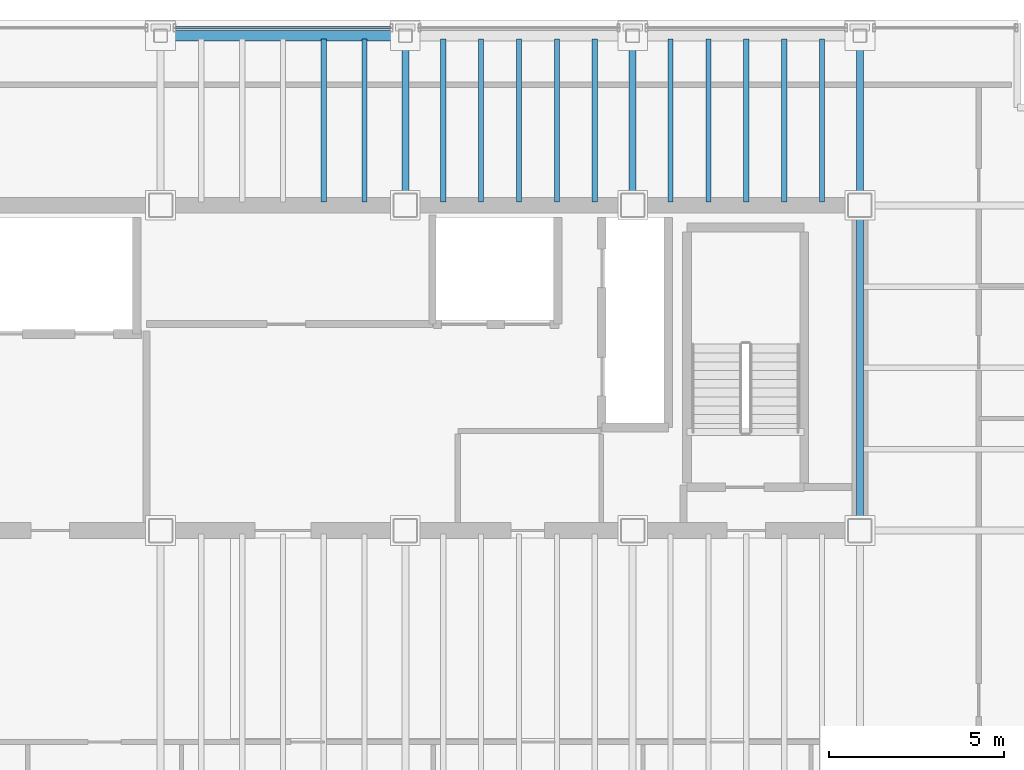
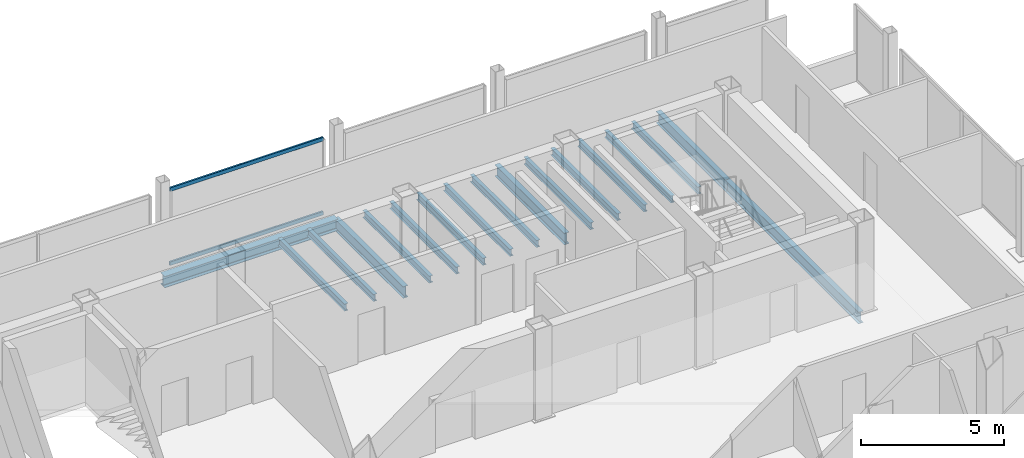
# One storey, part 10 of 17: 17 beams, 2 members, 1 element without a shape of its own.
"""IFC4 building model written with IfcOpenShell, lengths in metres."""

from ifc_helpers import new_model, si_unit, direction, frame, origin, origin_2d, place, context, subcontext, project, spatial, hollow_rectangle, i_section, extrude, material, material_profile, profile_set, type_object, element, aggregate, save


model = new_model("IFC4")

# Units and contexts
model_context = context("Model", 3, precision=1e-05, world=origin(), true_north=direction((0.0, 1.0)))
body_context = subcontext(model_context, "Body", "Model", "MODEL_VIEW")
ifc_project = project(units=[si_unit("LENGTHUNIT", "METRE"), si_unit("AREAUNIT", "SQUARE_METRE"), si_unit("VOLUMEUNIT", "CUBIC_METRE"), si_unit("PLANEANGLEUNIT", "RADIAN"), si_unit("MASSUNIT", "GRAM", prefix="KILO")], contexts=[model_context])

# Site, building, storey
site_placement = place(None, origin())
site = spatial("IfcSite", under=ifc_project, at=site_placement, CompositionType="ELEMENT")
building_placement = place(site_placement, origin())
building = spatial("IfcBuilding", under=site, at=building_placement, Name="Noeulbin Bourse Tower", CompositionType="ELEMENT")
storey_placement = place(building_placement, frame((0.0, 0.0, 296.89990234375)))
storey = spatial("IfcBuildingStorey", under=building, at=storey_placement, Name="L74", CompositionType="ELEMENT", Elevation=296.89990234375)

# Beams
ifc_material_1 = material(Name="Steel S355", Category="steel")
ifc_material_profile_1 = material_profile(ifc_material_1, i_section(OverallWidth=0.199951171875, OverallDepth=0.5, WebThickness=0.010009765625, FlangeThickness=0.01611328125, FilletRadius=0.02001953125, at=origin_2d()), Name="H-500x200x10x16", Category="LoadBearing")
ifc_profile_set_1 = profile_set([ifc_material_profile_1], Name="Steel S355")
beam_type_1 = type_object("IfcBeamType", Name="BM-GRD-500", PredefinedType="USERDEFINED", material=ifc_profile_set_1)
for number, where, z_axis, x_axis, name in (
    (1, (31.0, 38.300048828125, -0.429931640625), (0.0, 1.0, 0.0), (-1.0, 0.0, 0.0), "Tower Primary Girder NS L74-3.4"),
    (2, (37.5, 38.300048828125, -0.429931640625), (0.0, 1.0, 0.0), (-1.0, 0.0, 0.0), "Tower Primary Girder NS L74-4.4"),
):
    element("IfcBeam", number, at=place(storey_placement, frame(where, z_axis=z_axis, x_axis=x_axis)), inside=storey, type_object=beam_type_1, Name=name, ObjectType="GIRDER", PredefinedType="USERDEFINED", context=body_context, shape_type="SweptSolid", body=[
        extrude(i_section(OverallWidth=0.199951171875, OverallDepth=0.5, WebThickness=0.010009765625, FlangeThickness=0.01611328125, FilletRadius=0.02001953125, at=origin_2d()), origin(), (0.0, 0.0, 1.0), 4.849853515625),
    ])
beam_1_placement = place(storey_placement, frame((44.0, 29.0, -0.429931640625), z_axis=(0.0, 1.0, 0.0), x_axis=(-1.0, 0.0, 0.0)))
element("IfcBeam", 3, at=beam_1_placement, inside=storey, type_object=beam_type_1, Name="Tower Primary Girder NS L74-5.3", ObjectType="GIRDER", PredefinedType="USERDEFINED", context=body_context, shape_type="SweptSolid", body=[
    extrude(i_section(OverallWidth=0.199951171875, OverallDepth=0.5, WebThickness=0.010009765625, FlangeThickness=0.01611328125, FilletRadius=0.02001953125, at=origin_2d()), origin(), (0.0, 0.0, 1.0), 9.300048828125),
])
beam_2_placement = place(storey_placement, frame((44.0, 38.300048828125, -0.429931640625), z_axis=(0.0, 1.0, 0.0), x_axis=(-1.0, 0.0, 0.0)))
element("IfcBeam", 4, at=beam_2_placement, inside=storey, type_object=beam_type_1, Name="Tower Primary Girder NS L74-5.4", ObjectType="GIRDER", PredefinedType="USERDEFINED", context=body_context, shape_type="SweptSolid", body=[
    extrude(i_section(OverallWidth=0.199951171875, OverallDepth=0.5, WebThickness=0.010009765625, FlangeThickness=0.01611328125, FilletRadius=0.02001953125, at=origin_2d()), origin(), (0.0, 0.0, 1.0), 4.849853515625),
])
ifc_material_profile_2 = material_profile(ifc_material_1, i_section(OverallWidth=0.14990234375, OverallDepth=0.300048828125, WebThickness=0.006591796875, FlangeThickness=0.009033203125, FilletRadius=0.012939453125, at=origin_2d()), Name="H-300x150x6.5x9", Category="LoadBearing")
ifc_profile_set_2 = profile_set([ifc_material_profile_2], Name="Steel S355")
beam_type_2 = type_object("IfcBeamType", Name="BM-JST-300", PredefinedType="JOIST", material=ifc_profile_set_2)
for number, where, z_axis, x_axis, name in (
    (5, (28.666748046875, 38.39990234375, -0.329833984375), (0.0, 1.0, 0.0), (-1.0, 0.0, 0.0), "Tower Composite Joist L74-08"),
    (6, (29.833251953125, 38.39990234375, -0.329833984375), (0.0, 1.0, 0.0), (-1.0, 0.0, 0.0), "Tower Composite Joist L74-10"),
    (7, (32.083251953125, 38.39990234375, -0.329833984375), (0.0, 1.0, 0.0), (-1.0, 0.0, 0.0), "Tower Composite Joist L74-12"),
    (8, (33.166748046875, 38.39990234375, -0.329833984375), (0.0, 1.0, 0.0), (-1.0, 0.0, 0.0), "Tower Composite Joist L74-14"),
    (9, (34.25, 38.39990234375, -0.329833984375), (0.0, 1.0, 0.0), (-1.0, 0.0, 0.0), "Tower Composite Joist L74-16"),
    (10, (35.333251953125, 38.39990234375, -0.329833984375), (0.0, 1.0, 0.0), (-1.0, 0.0, 0.0), "Tower Composite Joist L74-18"),
    (11, (36.416748046875, 38.39990234375, -0.329833984375), (0.0, 1.0, 0.0), (-1.0, 0.0, 0.0), "Tower Composite Joist L74-20"),
    (12, (38.583251953125, 38.39990234375, -0.329833984375), (0.0, 1.0, 0.0), (-1.0, 0.0, 0.0), "Tower Composite Joist L74-22"),
    (13, (39.666748046875, 38.39990234375, -0.329833984375), (0.0, 1.0, 0.0), (-1.0, 0.0, 0.0), "Tower Composite Joist L74-24"),
    (14, (40.75, 38.39990234375, -0.329833984375), (0.0, 1.0, 0.0), (-1.0, 0.0, 0.0), "Tower Composite Joist L74-26"),
    (15, (41.833251953125, 38.39990234375, -0.329833984375), (0.0, 1.0, 0.0), (-1.0, 0.0, 0.0), "Tower Composite Joist L74-28"),
    (16, (42.916748046875, 38.39990234375, -0.329833984375), (0.0, 1.0, 0.0), (-1.0, 0.0, 0.0), "Tower Composite Joist L74-30"),
):
    element("IfcBeam", number, at=place(storey_placement, frame(where, z_axis=z_axis, x_axis=x_axis)), inside=storey, type_object=beam_type_2, Name=name, PredefinedType="JOIST", context=body_context, shape_type="SweptSolid", body=[
        extrude(i_section(OverallWidth=0.14990234375, OverallDepth=0.300048828125, WebThickness=0.006591796875, FlangeThickness=0.009033203125, FilletRadius=0.012939453125, at=origin_2d()), origin(), (0.0, 0.0, 1.0), 4.650146484375),
    ])
ifc_material_profile_3 = material_profile(ifc_material_1, i_section(OverallWidth=0.300048828125, OverallDepth=0.488037109375, WebThickness=0.010986328125, FlangeThickness=0.01806640625, FilletRadius=0.02197265625, at=origin_2d()), Name="H-488x300x11x18", Category="LoadBearing")
ifc_profile_set_3 = profile_set([ifc_material_profile_3], Name="Steel S355")
beam_type_3 = type_object("IfcBeamType", Name="BM-SPN-488", PredefinedType="SPANDREL", material=ifc_profile_set_3)
beam_3_placement = place(storey_placement, frame((24.0, 43.14990234375, -0.423828125), z_axis=(1.0, 0.0, 0.0), x_axis=(0.0, 1.0, 0.0)))
element("IfcBeam", 17, at=beam_3_placement, inside=storey, type_object=beam_type_3, Name="North Spandrel L74-1", PredefinedType="SPANDREL", context=body_context, shape_type="SweptSolid", body=[
    extrude(i_section(OverallWidth=0.300048828125, OverallDepth=0.488037109375, WebThickness=0.010986328125, FlangeThickness=0.01806640625, FilletRadius=0.02197265625, at=origin_2d()), origin(), (0.0, 0.0, 1.0), 7.0),
])

# Curtain wall, members
ifc_material_2 = material(Name="High-Selectivity Low-Iron Glazing", Category="glass")
curtain_wall_type = type_object("IfcCurtainWallType", Name="CW-SYS-4", PredefinedType="NOTDEFINED", material=ifc_material_2)
curtain_wall_placement = place(storey_placement, origin())
curtain_wall = element("IfcCurtainWall", 18, at=curtain_wall_placement, inside=storey, type_object=curtain_wall_type, Name="Unitised Curtain Wall CW-L74-N-S2", PredefinedType="NOTDEFINED")
ifc_material_3 = material(Name="Anodised Aluminium 6063-T6", Category="aluminium")
ifc_material_profile_4 = material_profile(ifc_material_3, hollow_rectangle(XDim=0.074951171875, YDim=0.159912109375, WallThickness=0.0048828125, InnerFilletRadius=0.00244140625, OuterFilletRadius=0.0048828125, at=origin_2d()), Name="ALU-TRAN-75x160x5", Category="LoadBearing")
ifc_profile_set_4 = profile_set([ifc_material_profile_4], Name="Anodised Aluminium 6063-T6")
member_type = type_object("IfcMemberType", Name="CW-SYS-4-TRN", PredefinedType="USERDEFINED", material=ifc_profile_set_4)
member_1_placement = place(storey_placement, frame((24.409912109375, 43.3798828125, 0.010009765625), z_axis=(1.0, 0.0, 0.0), x_axis=(0.0, 1.0, 0.0)))
member_1 = element("IfcMember", 19, at=member_1_placement, type_object=member_type, Name="Curtain Wall Transom CW-L74-N-S2-T00", ObjectType="TRANSOM", PredefinedType="USERDEFINED", context=body_context, shape_type="SweptSolid", body=[
    extrude(hollow_rectangle(XDim=0.074951171875, YDim=0.159912109375, WallThickness=0.0048828125, InnerFilletRadius=0.00244140625, OuterFilletRadius=0.0048828125, at=origin_2d()), origin(), (0.0, 0.0, 1.0), 6.18017578125),
])
member_2_placement = place(storey_placement, frame((24.409912109375, 43.3798828125, 3.170166015625), z_axis=(1.0, 0.0, 0.0), x_axis=(0.0, 1.0, 0.0)))
member_2 = element("IfcMember", 20, at=member_2_placement, type_object=member_type, Name="Curtain Wall Transom CW-L74-N-S2-T01", ObjectType="TRANSOM", PredefinedType="USERDEFINED", context=body_context, shape_type="SweptSolid", body=[
    extrude(hollow_rectangle(XDim=0.074951171875, YDim=0.159912109375, WallThickness=0.0048828125, InnerFilletRadius=0.00244140625, OuterFilletRadius=0.0048828125, at=origin_2d()), origin(), (0.0, 0.0, 1.0), 6.18017578125),
])
aggregate(curtain_wall, [member_1, member_2])

save(model, "model.ifc")
